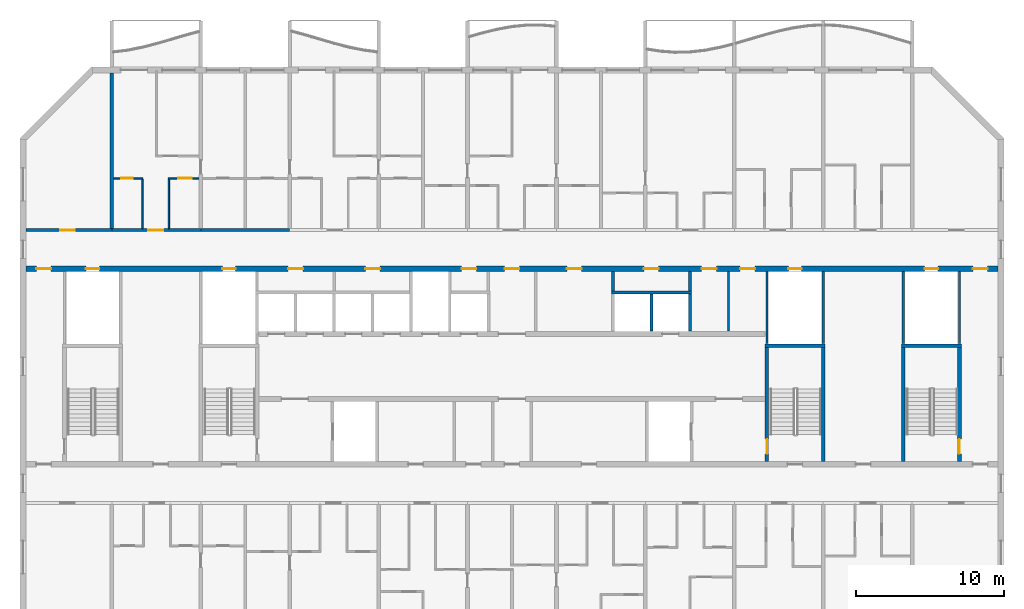
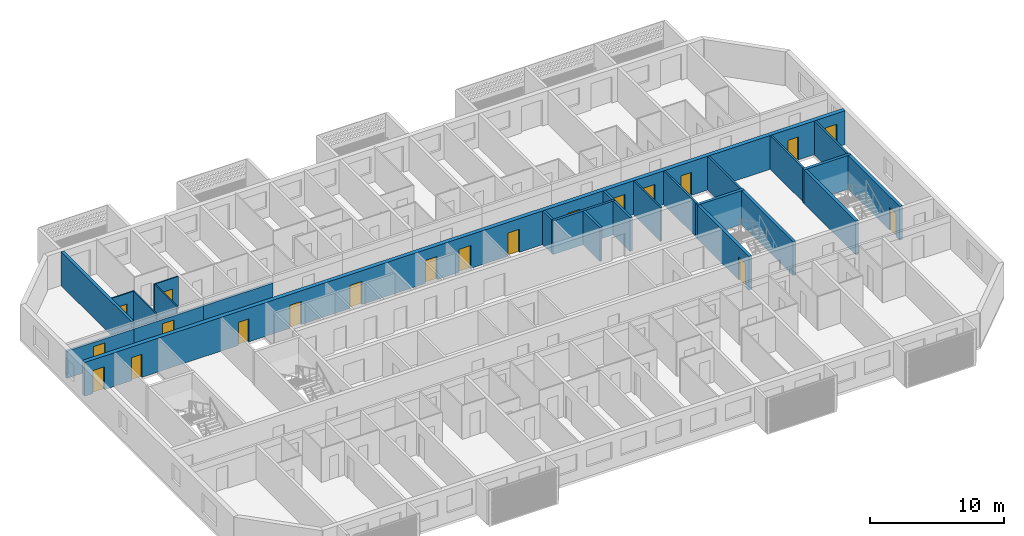
# One storey, part 7 of 26: 25 walls, 20 doors, 20 openings.
"""IFC4 building model written with IfcOpenShell, lengths in metres."""

from ifc_helpers import new_model, si_unit, direction, frame, frame_2d, origin, place, context, subcontext, project, spatial, rectangle, extrude, material, layer, layer_set, type_object, element, fill, save


model = new_model("IFC4")

# Units and contexts
model_context = context("Model", 3, precision=1e-05, world=origin(), true_north=direction((0.0, 1.0)))
body_context = subcontext(model_context, "Body", "Model", "MODEL_VIEW")
ifc_project = project(units=[si_unit("LENGTHUNIT", "METRE"), si_unit("AREAUNIT", "SQUARE_METRE"), si_unit("VOLUMEUNIT", "CUBIC_METRE"), si_unit("PLANEANGLEUNIT", "RADIAN"), si_unit("MASSUNIT", "GRAM", prefix="KILO")], contexts=[model_context])

# Site, building, storey
site_placement = place(None, origin())
site = spatial("IfcSite", under=ifc_project, at=site_placement, CompositionType="ELEMENT")
building_placement = place(site_placement, origin())
building = spatial("IfcBuilding", under=site, at=building_placement, Name="Poui Terraces", CompositionType="ELEMENT")
storey_placement = place(building_placement, frame((0.0, 0.0, 247.800048828125)))
storey = spatial("IfcBuildingStorey", under=building, at=storey_placement, Name="L69", CompositionType="ELEMENT", Elevation=247.800048828125)

# Wall, opening, door
ifc_material_1 = material(Name="Concrete 50 MPa", Category="concrete")
ifc_layer_1 = layer(ifc_material_1, 0.199951171875)
ifc_layer_set_1 = layer_set([ifc_layer_1], Name="Concrete 50 MPa")
wall_type_1 = type_object("IfcWallType", Name="CORRIDOR WALL 200 50MPa", PredefinedType="SHEAR", material=ifc_layer_set_1)
wall_1_placement = place(storey_placement, frame((18.199951171875, 30.39990234375, 0.0), z_axis=(0.0, 0.0, 1.0), x_axis=(1.0, 0.0, 0.0)))
wall_1 = element("IfcWall", 1, at=wall_1_placement, inside=storey, type_object=wall_type_1, Name="CORRIDOR WALL LINE E BAY 1", PredefinedType="SHEAR", context=body_context, shape_type="SweptSolid", body=[
    extrude(rectangle(XDim=5.800048828125, YDim=0.199951171875, at=frame_2d((2.89990234375, 0.0))), origin(), (0.0, 0.0, 1.0), 2.47998046875),
])
opening_1_placement = place(wall_1_placement, frame((2.300048828125, 0.0, 0.0)))
opening_1 = element("IfcOpeningElement", 2, at=opening_1_placement, cuts=wall_1, Name="Opening D100", PredefinedType="OPENING", context=body_context, shape_type="SweptSolid", body=[
    extrude(rectangle(XDim=1.0, YDim=2.10009765625, at=frame_2d((0.5, 1.050048828125))), frame((0.0, 0.10986328125, 0.0), z_axis=(0.0, -1.0, 0.0), x_axis=(1.0, 0.0, 0.0)), (0.0, 0.0, 1.0), 0.219970703125),
])
ifc_material_2 = material(Name="Solid core timber door", Category="wood")
door_type_1 = type_object("IfcDoorType", Name="ACCESSIBLE INTERNAL DOOR 1000 X 2100", OperationType="NOTDEFINED", PredefinedType="DOOR", material=ifc_material_2)
door_1_placement = place(opening_1_placement, origin())
door_1 = element("IfcDoor", 3, at=door_1_placement, inside=storey, type_object=door_type_1, Name="ACCESSIBLE INTERNAL DOOR 025", OperationType="SINGLE_SWING_LEFT", OverallHeight=2.10009765625, OverallWidth=1.0, PredefinedType="DOOR", context=body_context, shape_type="SweptSolid", body=[
    extrude(rectangle(XDim=1.0, YDim=2.10009765625, at=frame_2d((0.5, 1.050048828125))), frame((0.0, 0.02490234375, 0.0), z_axis=(0.0, -1.0, 0.0), x_axis=(1.0, 0.0, 0.0)), (0.0, 0.0, 1.0), 0.050048828125),
])
fill(opening_1, door_1)

wall_2_placement = place(storey_placement, frame((24.0, 30.39990234375, 0.0), z_axis=(0.0, 0.0, 1.0), x_axis=(1.0, 0.0, 0.0)))
wall_2 = element("IfcWall", 4, at=wall_2_placement, inside=storey, type_object=wall_type_1, Name="CORRIDOR WALL LINE E BAY 2", PredefinedType="SHEAR", context=body_context, shape_type="SweptSolid", body=[
    extrude(rectangle(XDim=6.0, YDim=0.199951171875, at=frame_2d((3.0, 0.0))), origin(), (0.0, 0.0, 1.0), 2.47998046875),
])
opening_2_placement = place(wall_2_placement, frame((2.449951171875, 0.0, 0.0)))
opening_2 = element("IfcOpeningElement", 5, at=opening_2_placement, cuts=wall_2, Name="Opening FD30S", PredefinedType="OPENING", context=body_context, shape_type="SweptSolid", body=[
    extrude(rectangle(XDim=1.0, YDim=2.10009765625, at=frame_2d((0.5, 1.050048828125))), frame((0.0, 0.10986328125, 0.0), z_axis=(0.0, -1.0, 0.0), x_axis=(1.0, 0.0, 0.0)), (0.0, 0.0, 1.0), 0.219970703125),
])
ifc_material_3 = material(Name="Steel fire door", Category="steel")
door_type_2 = type_object("IfcDoorType", Name="FLAT ENTRANCE DOOR 1000 X 2100", OperationType="NOTDEFINED", PredefinedType="DOOR", material=ifc_material_3)
door_2_placement = place(opening_2_placement, origin())
door_2 = element("IfcDoor", 6, at=door_2_placement, inside=storey, type_object=door_type_2, Name="FLAT ENTRANCE DOOR 028", OperationType="SINGLE_SWING_LEFT", OverallHeight=2.10009765625, OverallWidth=1.0, PredefinedType="DOOR", context=body_context, shape_type="SweptSolid", body=[
    extrude(rectangle(XDim=1.0, YDim=2.10009765625, at=frame_2d((0.5, 1.050048828125))), frame((0.0, 0.02490234375, 0.0), z_axis=(0.0, -1.0, 0.0), x_axis=(1.0, 0.0, 0.0)), (0.0, 0.0, 1.0), 0.050048828125),
])
fill(opening_2, door_2)

# Walls
wall_3_placement = place(storey_placement, frame((30.0, 30.39990234375, 0.0), z_axis=(0.0, 0.0, 1.0), x_axis=(1.0, 0.0, 0.0)))
element("IfcWall", 7, at=wall_3_placement, inside=storey, type_object=wall_type_1, Name="CORRIDOR WALL LINE E BAY 3", PredefinedType="SHEAR", context=body_context, shape_type="SweptSolid", body=[
    extrude(rectangle(XDim=6.0, YDim=0.199951171875, at=frame_2d((3.0, 0.0))), origin(), (0.0, 0.0, 1.0), 2.47998046875),
])
ifc_layer_2 = layer(ifc_material_1, 0.25)
ifc_layer_set_2 = layer_set([ifc_layer_2], Name="Concrete 50 MPa")
wall_type_2 = type_object("IfcWallType", Name="CROSS WALL 250 50MPa", PredefinedType="SHEAR", material=ifc_layer_set_2)
wall_4_placement = place(storey_placement, frame((24.0, 30.5, 0.0), z_axis=(0.0, 0.0, 1.0), x_axis=(0.0, 1.0, 0.0)))
element("IfcWall", 8, at=wall_4_placement, inside=storey, type_object=wall_type_2, Name="CROSS WALL LINE 5 NORTH", PredefinedType="SHEAR", context=body_context, shape_type="SweptSolid", body=[
    extrude(rectangle(XDim=10.5, YDim=0.25, at=frame_2d((5.25, 0.0))), origin(), (0.0, 0.0, 1.0), 3.079833984375),
])

# Wall, opening, door
ifc_material_4 = material(Name="Plasterboard partition")
ifc_layer_3 = layer(ifc_material_4, 0.10009765625)
ifc_layer_set_3 = layer_set([ifc_layer_3], Name="Plasterboard partition")
wall_type_3 = type_object("IfcWallType", Name="FLAT PARTITION 100", PredefinedType="PARTITIONING", material=ifc_layer_set_3)
wall_5_placement = place(storey_placement, frame((24.135009765625, 33.89990234375, 0.0), z_axis=(0.0, 0.0, 1.0), x_axis=(1.0, 0.0, 0.0)))
wall_5 = element("IfcWall", 9, at=wall_5_placement, inside=storey, type_object=wall_type_3, Name="FLAT PARTITION 100", PredefinedType="PARTITIONING", context=body_context, shape_type="SweptSolid", body=[
    extrude(rectangle(XDim=1.965087890625, YDim=0.10009765625, at=frame_2d((0.982421875, 0.0))), origin(), (0.0, 0.0, 1.0), 3.079833984375),
])
opening_3_placement = place(wall_5_placement, frame((0.489990234375, 0.0, 0.0)))
opening_3 = element("IfcOpeningElement", 10, at=opening_3_placement, cuts=wall_5, Name="Opening D80", PredefinedType="OPENING", context=body_context, shape_type="SweptSolid", body=[
    extrude(rectangle(XDim=0.800048828125, YDim=2.10009765625, at=frame_2d((0.39990234375, 1.050048828125))), frame((0.0, 0.06005859375, 0.0), z_axis=(0.0, -1.0, 0.0), x_axis=(1.0, 0.0, 0.0)), (0.0, 0.0, 1.0), 0.1201171875),
])
door_type_3 = type_object("IfcDoorType", Name="BATHROOM, LAUNDRY AND STORE DOOR 800 X 2100", OperationType="NOTDEFINED", PredefinedType="DOOR", material=ifc_material_2)
door_3_placement = place(opening_3_placement, frame((0.800048828125, 0.0, 0.0), z_axis=(0.0, 0.0, 1.0), x_axis=(-1.0, 0.0, 0.0)))
door_3 = element("IfcDoor", 11, at=door_3_placement, inside=storey, type_object=door_type_3, Name="BATHROOM, LAUNDRY AND STORE DOOR 027", OperationType="SINGLE_SWING_LEFT", OverallHeight=2.10009765625, OverallWidth=0.800048828125, PredefinedType="DOOR", context=body_context, shape_type="SweptSolid", body=[
    extrude(rectangle(XDim=0.800048828125, YDim=2.10009765625, at=frame_2d((0.39990234375, 1.050048828125))), frame((0.0, 0.02490234375, 0.0), z_axis=(0.0, -1.0, 0.0), x_axis=(1.0, 0.0, 0.0)), (0.0, 0.0, 1.0), 0.050048828125),
])
fill(opening_3, door_3)

wall_6_placement = place(storey_placement, frame((27.800048828125, 33.89990234375, 0.0), z_axis=(0.0, 0.0, 1.0), x_axis=(1.0, 0.0, 0.0)))
wall_6 = element("IfcWall", 12, at=wall_6_placement, inside=storey, type_object=wall_type_3, Name="FLAT PARTITION 100", PredefinedType="PARTITIONING", context=body_context, shape_type="SweptSolid", body=[
    extrude(rectangle(XDim=2.06494140625, YDim=0.10009765625, at=frame_2d((1.032470703125, 0.0))), origin(), (0.0, 0.0, 1.0), 3.079833984375),
])
opening_4_placement = place(wall_6_placement, frame((0.675048828125, 0.0, 0.0)))
opening_4 = element("IfcOpeningElement", 13, at=opening_4_placement, cuts=wall_6, Name="Opening D90", PredefinedType="OPENING", context=body_context, shape_type="SweptSolid", body=[
    extrude(rectangle(XDim=0.89990234375, YDim=2.10009765625, at=frame_2d((0.449951171875, 1.050048828125))), frame((0.0, 0.06005859375, 0.0), z_axis=(0.0, -1.0, 0.0), x_axis=(1.0, 0.0, 0.0)), (0.0, 0.0, 1.0), 0.1201171875),
])
door_type_4 = type_object("IfcDoorType", Name="INTERNAL DOOR 900 X 2100", OperationType="NOTDEFINED", PredefinedType="DOOR", material=ifc_material_2)
door_4_placement = place(opening_4_placement, frame((0.89990234375, 0.0, 0.0), z_axis=(0.0, 0.0, 1.0), x_axis=(-1.0, 0.0, 0.0)))
door_4 = element("IfcDoor", 14, at=door_4_placement, inside=storey, type_object=door_type_4, Name="INTERNAL DOOR 030", OperationType="SINGLE_SWING_RIGHT", OverallHeight=2.10009765625, OverallWidth=0.89990234375, PredefinedType="DOOR", context=body_context, shape_type="SweptSolid", body=[
    extrude(rectangle(XDim=0.89990234375, YDim=2.10009765625, at=frame_2d((0.449951171875, 1.050048828125))), frame((0.0, 0.02490234375, 0.0), z_axis=(0.0, -1.0, 0.0), x_axis=(1.0, 0.0, 0.0)), (0.0, 0.0, 1.0), 0.050048828125),
])
fill(opening_4, door_4)

# Walls
for number, where, z_axis, x_axis, name in (
    (15, (26.050048828125, 30.510009765625, 0.0), (0.0, 0.0, 1.0), (0.0, 1.0, 0.0), "FLAT PARTITION 100"),
    (16, (27.85009765625, 30.510009765625, 0.0), (0.0, 0.0, 1.0), (0.0, 1.0, 0.0), "FLAT PARTITION 100"),
):
    element("IfcWall", number, at=place(storey_placement, frame(where, z_axis=z_axis, x_axis=x_axis)), inside=storey, type_object=wall_type_3, Name=name, PredefinedType="PARTITIONING", context=body_context, shape_type="SweptSolid", body=[
        extrude(rectangle(XDim=3.340087890625, YDim=0.10009765625, at=frame_2d((1.669921875, 0.0))), origin(), (0.0, 0.0, 1.0), 3.079833984375),
    ])
ifc_layer_4 = layer(ifc_material_4, 0.14990234375)
ifc_layer_set_4 = layer_set([ifc_layer_4], Name="Plasterboard partition")
wall_type_4 = type_object("IfcWallType", Name="PARTITION WALL 150", PredefinedType="PARTITIONING", material=ifc_layer_set_4)
wall_7_placement = place(storey_placement, frame((65.60009765625, 23.5849609375, 0.0), z_axis=(0.0, 0.0, 1.0), x_axis=(0.0, 1.0, 0.0)))
element("IfcWall", 17, at=wall_7_placement, inside=storey, type_object=wall_type_4, Name="PARTITION WALL 150", PredefinedType="PARTITIONING", context=body_context, shape_type="SweptSolid", body=[
    extrude(rectangle(XDim=4.030029296875, YDim=0.14990234375, at=frame_2d((2.01513671875, 0.0))), origin(), (0.0, 0.0, 1.0), 3.079833984375),
])
ifc_material_5 = material(Name="Fire-rated masonry wall", Category="masonry")
ifc_layer_5 = layer(ifc_material_5, 0.199951171875)
ifc_layer_set_5 = layer_set([ifc_layer_5], Name="Fire-rated masonry wall")
wall_type_5 = type_object("IfcWallType", Name="PLANT ROOM WALL 200", PredefinedType="PARTITIONING", material=ifc_layer_set_5)
for number, where, z_axis, x_axis, name in (
    (18, (57.800048828125, 26.300048828125, 0.0), (0.0, 0.0, 1.0), (0.0, 1.0, 0.0), "PLANT ROOM WALL 200"),
    (19, (63.0, 26.300048828125, 0.0), (0.0, 0.0, 1.0), (0.0, 1.0, 0.0), "PLANT ROOM WALL 200"),
):
    element("IfcWall", number, at=place(storey_placement, frame(where, z_axis=z_axis, x_axis=x_axis)), inside=storey, type_object=wall_type_5, Name=name, PredefinedType="PARTITIONING", context=body_context, shape_type="SweptSolid", body=[
        extrude(rectangle(XDim=1.31494140625, YDim=0.199951171875, at=frame_2d((0.657470703125, 0.0))), origin(), (0.0, 0.0, 1.0), 3.079833984375),
    ])
ifc_material_6 = material(Name="Fire-rated plasterboard riser wall")
ifc_layer_6 = layer(ifc_material_6, 0.14990234375)
ifc_layer_set_6 = layer_set([ifc_layer_6], Name="Fire-rated plasterboard riser wall")
wall_type_6 = type_object("IfcWallType", Name="RISER WALL 150", PredefinedType="PARTITIONING", material=ifc_layer_set_6)
for number, where, z_axis, x_axis, name in (
    (20, (68.199951171875, 22.735107421875, 0.0), (0.0, 0.0, 1.0), (0.0, 1.0, 0.0), "RISER WALL 150"),
    (21, (72.0, 22.735107421875, 0.0), (0.0, 0.0, 1.0), (0.0, 1.0, 0.0), "RISER WALL 150"),
    (22, (77.39990234375, 22.735107421875, 0.0), (0.0, 0.0, 1.0), (0.0, 1.0, 0.0), "RISER WALL 150"),
    (23, (81.199951171875, 22.735107421875, 0.0), (0.0, 0.0, 1.0), (0.0, 1.0, 0.0), "RISER WALL 150"),
):
    element("IfcWall", number, at=place(storey_placement, frame(where, z_axis=z_axis, x_axis=x_axis)), inside=storey, type_object=wall_type_6, Name=name, PredefinedType="PARTITIONING", context=body_context, shape_type="SweptSolid", body=[
        extrude(rectangle(XDim=4.8798828125, YDim=0.14990234375, at=frame_2d((2.43994140625, 0.0))), origin(), (0.0, 0.0, 1.0), 3.079833984375),
    ])
ifc_material_7 = material(Name="Fire-rated masonry shaft wall", Category="masonry")
ifc_layer_7 = layer(ifc_material_7, 0.199951171875)
ifc_layer_set_7 = layer_set([ifc_layer_7], Name="Fire-rated masonry shaft wall")
wall_type_7 = type_object("IfcWallType", Name="SHAFT WALL 200", PredefinedType="PARTITIONING", material=ifc_layer_set_7)
wall_8_placement = place(storey_placement, frame((57.699951171875, 26.199951171875, 0.0), z_axis=(0.0, 0.0, 1.0), x_axis=(1.0, 0.0, 0.0)))
element("IfcWall", 24, at=wall_8_placement, inside=storey, type_object=wall_type_7, Name="SHAFT WALL 200", PredefinedType="PARTITIONING", context=body_context, shape_type="SweptSolid", body=[
    extrude(rectangle(XDim=5.400146484375, YDim=0.199951171875, at=frame_2d((2.7001953125, 0.0))), origin(), (0.0, 0.0, 1.0), 3.079833984375),
])
for number, where, z_axis, x_axis, name in (
    (25, (60.39990234375, 23.5849609375, 0.0), (0.0, 0.0, 1.0), (0.0, 1.0, 0.0), "SHAFT WALL 200"),
    (26, (63.0, 23.5849609375, 0.0), (0.0, 0.0, 1.0), (0.0, 1.0, 0.0), "SHAFT WALL 200"),
):
    element("IfcWall", number, at=place(storey_placement, frame(where, z_axis=z_axis, x_axis=x_axis)), inside=storey, type_object=wall_type_7, Name=name, PredefinedType="PARTITIONING", context=body_context, shape_type="SweptSolid", body=[
        extrude(rectangle(XDim=2.51513671875, YDim=0.199951171875, at=frame_2d((1.257568359375, 0.0))), origin(), (0.0, 0.0, 1.0), 3.079833984375),
    ])

# Wall, openings, doors
ifc_layer_8 = layer(ifc_material_1, 0.35009765625)
ifc_layer_set_8 = layer_set([ifc_layer_8], Name="Concrete 50 MPa")
wall_type_8 = type_object("IfcWallType", Name="SPINE WALL 350 50 MPA", PredefinedType="SOLIDWALL", material=ifc_layer_set_8)
wall_9_placement = place(storey_placement, frame((18.199951171875, 27.800048828125, 0.0), z_axis=(0.0, 0.0, 1.0), x_axis=(1.0, 0.0, 0.0)))
wall_9 = element("IfcWall", 27, at=wall_9_placement, inside=storey, type_object=wall_type_8, Name="SPINE WALL", PredefinedType="SOLIDWALL", context=body_context, shape_type="SweptSolid", body=[
    extrude(rectangle(XDim=65.60009765625, YDim=0.35009765625, at=frame_2d((32.800048828125, 0.0))), origin(), (0.0, 0.0, 1.0), 3.079833984375),
])
opening_5_placement = place(wall_9_placement, frame((0.699951171875, 0.0, 0.0)))
opening_5 = element("IfcOpeningElement", 28, at=opening_5_placement, cuts=wall_9, Name="Opening FDL", PredefinedType="OPENING", context=body_context, shape_type="SweptSolid", body=[
    extrude(rectangle(XDim=1.0, YDim=2.10009765625, at=frame_2d((0.5, 1.050048828125))), frame((0.0, 0.18505859375, 0.0), z_axis=(0.0, -1.0, 0.0), x_axis=(1.0, 0.0, 0.0)), (0.0, 0.0, 1.0), 0.3701171875),
])
opening_6_placement = place(wall_9_placement, frame((4.050048828125, 0.0, 0.0)))
opening_6 = element("IfcOpeningElement", 29, at=opening_6_placement, cuts=wall_9, Name="Opening FDR", PredefinedType="OPENING", context=body_context, shape_type="SweptSolid", body=[
    extrude(rectangle(XDim=0.89990234375, YDim=2.10009765625, at=frame_2d((0.449951171875, 1.050048828125))), frame((0.0, 0.18505859375, 0.0), z_axis=(0.0, -1.0, 0.0), x_axis=(1.0, 0.0, 0.0)), (0.0, 0.0, 1.0), 0.3701171875),
])
opening_7_placement = place(wall_9_placement, frame((13.25, 0.0, 0.0)))
opening_7 = element("IfcOpeningElement", 30, at=opening_7_placement, cuts=wall_9, Name="Opening FDR", PredefinedType="OPENING", context=body_context, shape_type="SweptSolid", body=[
    extrude(rectangle(XDim=0.89990234375, YDim=2.10009765625, at=frame_2d((0.449951171875, 1.050048828125))), frame((0.0, 0.18505859375, 0.0), z_axis=(0.0, -1.0, 0.0), x_axis=(1.0, 0.0, 0.0)), (0.0, 0.0, 1.0), 0.3701171875),
])
opening_8_placement = place(wall_9_placement, frame((17.699951171875, 0.0, 0.0)))
opening_8 = element("IfcOpeningElement", 31, at=opening_8_placement, cuts=wall_9, Name="Opening FD60", PredefinedType="OPENING", context=body_context, shape_type="SweptSolid", body=[
    extrude(rectangle(XDim=1.0, YDim=2.10009765625, at=frame_2d((0.5, 1.050048828125))), frame((0.0, 0.18505859375, 0.0), z_axis=(0.0, -1.0, 0.0), x_axis=(1.0, 0.0, 0.0)), (0.0, 0.0, 1.0), 0.3701171875),
])
opening_9_placement = place(wall_9_placement, frame((22.89990234375, 0.0, 0.0)))
opening_9 = element("IfcOpeningElement", 32, at=opening_9_placement, cuts=wall_9, Name="Opening FD60", PredefinedType="OPENING", context=body_context, shape_type="SweptSolid", body=[
    extrude(rectangle(XDim=1.0, YDim=2.10009765625, at=frame_2d((0.5, 1.050048828125))), frame((0.0, 0.18505859375, 0.0), z_axis=(0.0, -1.0, 0.0), x_axis=(1.0, 0.0, 0.0)), (0.0, 0.0, 1.0), 0.3701171875),
])
opening_10_placement = place(wall_9_placement, frame((29.39990234375, 0.0, 0.0)))
opening_10 = element("IfcOpeningElement", 33, at=opening_10_placement, cuts=wall_9, Name="Opening FD60", PredefinedType="OPENING", context=body_context, shape_type="SweptSolid", body=[
    extrude(rectangle(XDim=1.0, YDim=2.10009765625, at=frame_2d((0.5, 1.050048828125))), frame((0.0, 0.18505859375, 0.0), z_axis=(0.0, -1.0, 0.0), x_axis=(1.0, 0.0, 0.0)), (0.0, 0.0, 1.0), 0.3701171875),
])
opening_11_placement = place(wall_9_placement, frame((32.300048828125, 0.0, 0.0)))
opening_11 = element("IfcOpeningElement", 34, at=opening_11_placement, cuts=wall_9, Name="Opening FDL", PredefinedType="OPENING", context=body_context, shape_type="SweptSolid", body=[
    extrude(rectangle(XDim=1.0, YDim=2.10009765625, at=frame_2d((0.5, 1.050048828125))), frame((0.0, 0.18505859375, 0.0), z_axis=(0.0, -1.0, 0.0), x_axis=(1.0, 0.0, 0.0)), (0.0, 0.0, 1.0), 0.3701171875),
])
opening_12_placement = place(wall_9_placement, frame((36.5, 0.0, 0.0)))
opening_12 = element("IfcOpeningElement", 35, at=opening_12_placement, cuts=wall_9, Name="Opening FD60", PredefinedType="OPENING", context=body_context, shape_type="SweptSolid", body=[
    extrude(rectangle(XDim=1.0, YDim=2.10009765625, at=frame_2d((0.5, 1.050048828125))), frame((0.0, 0.18505859375, 0.0), z_axis=(0.0, -1.0, 0.0), x_axis=(1.0, 0.0, 0.0)), (0.0, 0.0, 1.0), 0.3701171875),
])
opening_13_placement = place(wall_9_placement, frame((41.699951171875, 0.0, 0.0)))
opening_13 = element("IfcOpeningElement", 36, at=opening_13_placement, cuts=wall_9, Name="Opening FD60", PredefinedType="OPENING", context=body_context, shape_type="SweptSolid", body=[
    extrude(rectangle(XDim=1.0, YDim=2.10009765625, at=frame_2d((0.5, 1.050048828125))), frame((0.0, 0.18505859375, 0.0), z_axis=(0.0, -1.0, 0.0), x_axis=(1.0, 0.0, 0.0)), (0.0, 0.0, 1.0), 0.3701171875),
])
opening_14_placement = place(wall_9_placement, frame((45.60009765625, 0.0, 0.0)))
opening_14 = element("IfcOpeningElement", 37, at=opening_14_placement, cuts=wall_9, Name="Opening FD60", PredefinedType="OPENING", context=body_context, shape_type="SweptSolid", body=[
    extrude(rectangle(XDim=1.0, YDim=2.10009765625, at=frame_2d((0.5, 1.050048828125))), frame((0.0, 0.18505859375, 0.0), z_axis=(0.0, -1.0, 0.0), x_axis=(1.0, 0.0, 0.0)), (0.0, 0.0, 1.0), 0.3701171875),
])
opening_15_placement = place(wall_9_placement, frame((48.199951171875, 0.0, 0.0)))
opening_15 = element("IfcOpeningElement", 38, at=opening_15_placement, cuts=wall_9, Name="Opening FD60", PredefinedType="OPENING", context=body_context, shape_type="SweptSolid", body=[
    extrude(rectangle(XDim=1.0, YDim=2.10009765625, at=frame_2d((0.5, 1.050048828125))), frame((0.0, 0.18505859375, 0.0), z_axis=(0.0, -1.0, 0.0), x_axis=(1.0, 0.0, 0.0)), (0.0, 0.0, 1.0), 0.3701171875),
])
opening_16_placement = place(wall_9_placement, frame((51.449951171875, 0.0, 0.0)))
opening_16 = element("IfcOpeningElement", 39, at=opening_16_placement, cuts=wall_9, Name="Opening FDR", PredefinedType="OPENING", context=body_context, shape_type="SweptSolid", body=[
    extrude(rectangle(XDim=0.89990234375, YDim=2.10009765625, at=frame_2d((0.449951171875, 1.050048828125))), frame((0.0, 0.18505859375, 0.0), z_axis=(0.0, -1.0, 0.0), x_axis=(1.0, 0.0, 0.0)), (0.0, 0.0, 1.0), 0.3701171875),
])
opening_17_placement = place(wall_9_placement, frame((60.64990234375, 0.0, 0.0)))
opening_17 = element("IfcOpeningElement", 40, at=opening_17_placement, cuts=wall_9, Name="Opening FDR", PredefinedType="OPENING", context=body_context, shape_type="SweptSolid", body=[
    extrude(rectangle(XDim=0.89990234375, YDim=2.10009765625, at=frame_2d((0.449951171875, 1.050048828125))), frame((0.0, 0.18505859375, 0.0), z_axis=(0.0, -1.0, 0.0), x_axis=(1.0, 0.0, 0.0)), (0.0, 0.0, 1.0), 0.3701171875),
])
opening_18_placement = place(wall_9_placement, frame((63.89990234375, 0.0, 0.0)))
opening_18 = element("IfcOpeningElement", 41, at=opening_18_placement, cuts=wall_9, Name="Opening FDL", PredefinedType="OPENING", context=body_context, shape_type="SweptSolid", body=[
    extrude(rectangle(XDim=1.0, YDim=2.10009765625, at=frame_2d((0.5, 1.050048828125))), frame((0.0, 0.18505859375, 0.0), z_axis=(0.0, -1.0, 0.0), x_axis=(1.0, 0.0, 0.0)), (0.0, 0.0, 1.0), 0.3701171875),
])
door_type_5 = type_object("IfcDoorType", Name="LOBBY FIRE DOOR 1000 X 2100", OperationType="NOTDEFINED", PredefinedType="DOOR", material=ifc_material_3)
door_5_placement = place(opening_5_placement, origin())
door_5 = element("IfcDoor", 42, at=door_5_placement, inside=storey, type_object=door_type_5, Name="LOBBY FIRE DOOR 001", OperationType="SINGLE_SWING_LEFT", OverallHeight=2.10009765625, OverallWidth=1.0, PredefinedType="DOOR", context=body_context, shape_type="SweptSolid", body=[
    extrude(rectangle(XDim=1.0, YDim=2.10009765625, at=frame_2d((0.5, 1.050048828125))), frame((0.0, 0.02490234375, 0.0), z_axis=(0.0, -1.0, 0.0), x_axis=(1.0, 0.0, 0.0)), (0.0, 0.0, 1.0), 0.050048828125),
])
fill(opening_5, door_5)
door_6_placement = place(opening_11_placement, origin())
door_6 = element("IfcDoor", 43, at=door_6_placement, inside=storey, type_object=door_type_5, Name="LOBBY FIRE DOOR 007", OperationType="SINGLE_SWING_RIGHT", OverallHeight=2.10009765625, OverallWidth=1.0, PredefinedType="DOOR", context=body_context, shape_type="SweptSolid", body=[
    extrude(rectangle(XDim=1.0, YDim=2.10009765625, at=frame_2d((0.5, 1.050048828125))), frame((0.0, 0.02490234375, 0.0), z_axis=(0.0, -1.0, 0.0), x_axis=(1.0, 0.0, 0.0)), (0.0, 0.0, 1.0), 0.050048828125),
])
fill(opening_11, door_6)
door_7_placement = place(opening_18_placement, origin())
door_7 = element("IfcDoor", 44, at=door_7_placement, inside=storey, type_object=door_type_5, Name="LOBBY FIRE DOOR 014", OperationType="SINGLE_SWING_RIGHT", OverallHeight=2.10009765625, OverallWidth=1.0, PredefinedType="DOOR", context=body_context, shape_type="SweptSolid", body=[
    extrude(rectangle(XDim=1.0, YDim=2.10009765625, at=frame_2d((0.5, 1.050048828125))), frame((0.0, 0.02490234375, 0.0), z_axis=(0.0, -1.0, 0.0), x_axis=(1.0, 0.0, 0.0)), (0.0, 0.0, 1.0), 0.050048828125),
])
fill(opening_18, door_7)
door_type_6 = type_object("IfcDoorType", Name="RISER CUPBOARD DOOR 900 X 2100", OperationType="NOTDEFINED", PredefinedType="DOOR", material=ifc_material_3)
door_8_placement = place(opening_6_placement, origin())
door_8 = element("IfcDoor", 45, at=door_8_placement, inside=storey, type_object=door_type_6, Name="RISER CUPBOARD DOOR 002", OperationType="SINGLE_SWING_LEFT", OverallHeight=2.10009765625, OverallWidth=0.89990234375, PredefinedType="DOOR", context=body_context, shape_type="SweptSolid", body=[
    extrude(rectangle(XDim=0.89990234375, YDim=2.10009765625, at=frame_2d((0.449951171875, 1.050048828125))), frame((0.0, 0.02490234375, 0.0), z_axis=(0.0, -1.0, 0.0), x_axis=(1.0, 0.0, 0.0)), (0.0, 0.0, 1.0), 0.050048828125),
])
fill(opening_6, door_8)
door_9_placement = place(opening_7_placement, origin())
door_9 = element("IfcDoor", 46, at=door_9_placement, inside=storey, type_object=door_type_6, Name="RISER CUPBOARD DOOR 003", OperationType="SINGLE_SWING_LEFT", OverallHeight=2.10009765625, OverallWidth=0.89990234375, PredefinedType="DOOR", context=body_context, shape_type="SweptSolid", body=[
    extrude(rectangle(XDim=0.89990234375, YDim=2.10009765625, at=frame_2d((0.449951171875, 1.050048828125))), frame((0.0, 0.02490234375, 0.0), z_axis=(0.0, -1.0, 0.0), x_axis=(1.0, 0.0, 0.0)), (0.0, 0.0, 1.0), 0.050048828125),
])
fill(opening_7, door_9)
door_10_placement = place(opening_16_placement, origin())
door_10 = element("IfcDoor", 47, at=door_10_placement, inside=storey, type_object=door_type_6, Name="RISER CUPBOARD DOOR 012", OperationType="SINGLE_SWING_RIGHT", OverallHeight=2.10009765625, OverallWidth=0.89990234375, PredefinedType="DOOR", context=body_context, shape_type="SweptSolid", body=[
    extrude(rectangle(XDim=0.89990234375, YDim=2.10009765625, at=frame_2d((0.449951171875, 1.050048828125))), frame((0.0, 0.02490234375, 0.0), z_axis=(0.0, -1.0, 0.0), x_axis=(1.0, 0.0, 0.0)), (0.0, 0.0, 1.0), 0.050048828125),
])
fill(opening_16, door_10)
door_11_placement = place(opening_17_placement, origin())
door_11 = element("IfcDoor", 48, at=door_11_placement, inside=storey, type_object=door_type_6, Name="RISER CUPBOARD DOOR 013", OperationType="SINGLE_SWING_RIGHT", OverallHeight=2.10009765625, OverallWidth=0.89990234375, PredefinedType="DOOR", context=body_context, shape_type="SweptSolid", body=[
    extrude(rectangle(XDim=0.89990234375, YDim=2.10009765625, at=frame_2d((0.449951171875, 1.050048828125))), frame((0.0, 0.02490234375, 0.0), z_axis=(0.0, -1.0, 0.0), x_axis=(1.0, 0.0, 0.0)), (0.0, 0.0, 1.0), 0.050048828125),
])
fill(opening_17, door_11)
door_type_7 = type_object("IfcDoorType", Name="SERVICE ROOM FIRE DOOR 1000 X 2100", OperationType="NOTDEFINED", PredefinedType="DOOR", material=ifc_material_3)
door_12_placement = place(opening_8_placement, origin())
door_12 = element("IfcDoor", 49, at=door_12_placement, inside=storey, type_object=door_type_7, Name="SERVICE ROOM FIRE DOOR 004", OperationType="SINGLE_SWING_RIGHT", OverallHeight=2.10009765625, OverallWidth=1.0, PredefinedType="DOOR", context=body_context, shape_type="SweptSolid", body=[
    extrude(rectangle(XDim=1.0, YDim=2.10009765625, at=frame_2d((0.5, 1.050048828125))), frame((0.0, 0.02490234375, 0.0), z_axis=(0.0, -1.0, 0.0), x_axis=(1.0, 0.0, 0.0)), (0.0, 0.0, 1.0), 0.050048828125),
])
fill(opening_8, door_12)
door_13_placement = place(opening_9_placement, origin())
door_13 = element("IfcDoor", 50, at=door_13_placement, inside=storey, type_object=door_type_7, Name="SERVICE ROOM FIRE DOOR 005", OperationType="SINGLE_SWING_LEFT", OverallHeight=2.10009765625, OverallWidth=1.0, PredefinedType="DOOR", context=body_context, shape_type="SweptSolid", body=[
    extrude(rectangle(XDim=1.0, YDim=2.10009765625, at=frame_2d((0.5, 1.050048828125))), frame((0.0, 0.02490234375, 0.0), z_axis=(0.0, -1.0, 0.0), x_axis=(1.0, 0.0, 0.0)), (0.0, 0.0, 1.0), 0.050048828125),
])
fill(opening_9, door_13)
door_14_placement = place(opening_10_placement, origin())
door_14 = element("IfcDoor", 51, at=door_14_placement, inside=storey, type_object=door_type_7, Name="SERVICE ROOM FIRE DOOR 006", OperationType="SINGLE_SWING_RIGHT", OverallHeight=2.10009765625, OverallWidth=1.0, PredefinedType="DOOR", context=body_context, shape_type="SweptSolid", body=[
    extrude(rectangle(XDim=1.0, YDim=2.10009765625, at=frame_2d((0.5, 1.050048828125))), frame((0.0, 0.02490234375, 0.0), z_axis=(0.0, -1.0, 0.0), x_axis=(1.0, 0.0, 0.0)), (0.0, 0.0, 1.0), 0.050048828125),
])
fill(opening_10, door_14)
door_15_placement = place(opening_12_placement, origin())
door_15 = element("IfcDoor", 52, at=door_15_placement, inside=storey, type_object=door_type_7, Name="SERVICE ROOM FIRE DOOR 008", OperationType="SINGLE_SWING_LEFT", OverallHeight=2.10009765625, OverallWidth=1.0, PredefinedType="DOOR", context=body_context, shape_type="SweptSolid", body=[
    extrude(rectangle(XDim=1.0, YDim=2.10009765625, at=frame_2d((0.5, 1.050048828125))), frame((0.0, 0.02490234375, 0.0), z_axis=(0.0, -1.0, 0.0), x_axis=(1.0, 0.0, 0.0)), (0.0, 0.0, 1.0), 0.050048828125),
])
fill(opening_12, door_15)
door_16_placement = place(opening_13_placement, origin())
door_16 = element("IfcDoor", 53, at=door_16_placement, inside=storey, type_object=door_type_7, Name="SERVICE ROOM FIRE DOOR 009", OperationType="SINGLE_SWING_RIGHT", OverallHeight=2.10009765625, OverallWidth=1.0, PredefinedType="DOOR", context=body_context, shape_type="SweptSolid", body=[
    extrude(rectangle(XDim=1.0, YDim=2.10009765625, at=frame_2d((0.5, 1.050048828125))), frame((0.0, 0.02490234375, 0.0), z_axis=(0.0, -1.0, 0.0), x_axis=(1.0, 0.0, 0.0)), (0.0, 0.0, 1.0), 0.050048828125),
])
fill(opening_13, door_16)
door_17_placement = place(opening_14_placement, origin())
door_17 = element("IfcDoor", 54, at=door_17_placement, inside=storey, type_object=door_type_7, Name="SERVICE ROOM FIRE DOOR 010", OperationType="SINGLE_SWING_LEFT", OverallHeight=2.10009765625, OverallWidth=1.0, PredefinedType="DOOR", context=body_context, shape_type="SweptSolid", body=[
    extrude(rectangle(XDim=1.0, YDim=2.10009765625, at=frame_2d((0.5, 1.050048828125))), frame((0.0, 0.02490234375, 0.0), z_axis=(0.0, -1.0, 0.0), x_axis=(1.0, 0.0, 0.0)), (0.0, 0.0, 1.0), 0.050048828125),
])
fill(opening_14, door_17)
door_18_placement = place(opening_15_placement, origin())
door_18 = element("IfcDoor", 55, at=door_18_placement, inside=storey, type_object=door_type_7, Name="SERVICE ROOM FIRE DOOR 011", OperationType="SINGLE_SWING_RIGHT", OverallHeight=2.10009765625, OverallWidth=1.0, PredefinedType="DOOR", context=body_context, shape_type="SweptSolid", body=[
    extrude(rectangle(XDim=1.0, YDim=2.10009765625, at=frame_2d((0.5, 1.050048828125))), frame((0.0, 0.02490234375, 0.0), z_axis=(0.0, -1.0, 0.0), x_axis=(1.0, 0.0, 0.0)), (0.0, 0.0, 1.0), 0.050048828125),
])
fill(opening_15, door_18)

# Wall, opening, door
ifc_layer_9 = layer(ifc_material_1, 0.25)
ifc_layer_set_9 = layer_set([ifc_layer_9], Name="Concrete 50 MPa")
wall_type_9 = type_object("IfcWallType", Name="STAIR CORE WALL 250 50 MPA", PredefinedType="SOLIDWALL", material=ifc_layer_set_9)
wall_10_placement = place(storey_placement, frame((68.199951171875, 14.77490234375, 0.0), z_axis=(0.0, 0.0, 1.0), x_axis=(0.0, 1.0, 0.0)))
wall_10 = element("IfcWall", 56, at=wall_10_placement, inside=storey, type_object=wall_type_9, Name="STAIR CORE WALL", PredefinedType="SOLIDWALL", context=body_context, shape_type="SweptSolid", body=[
    extrude(rectangle(XDim=7.7001953125, YDim=0.25, at=frame_2d((3.85009765625, 0.0))), origin(), (0.0, 0.0, 1.0), 3.079833984375),
])
opening_19_placement = place(wall_10_placement, frame((0.52490234375, 0.0, 0.0)))
opening_19 = element("IfcOpeningElement", 57, at=opening_19_placement, cuts=wall_10, Name="Opening FD60S", PredefinedType="OPENING", context=body_context, shape_type="SweptSolid", body=[
    extrude(rectangle(XDim=1.0, YDim=2.10009765625, at=frame_2d((0.5, 1.050048828125))), frame((0.0, 0.135009765625, 0.0), z_axis=(0.0, -1.0, 0.0), x_axis=(1.0, 0.0, 0.0)), (0.0, 0.0, 1.0), 0.27001953125),
])
door_type_8 = type_object("IfcDoorType", Name="STAIR DOOR 1000 X 2100", OperationType="NOTDEFINED", PredefinedType="DOOR", material=ifc_material_3)
door_19_placement = place(opening_19_placement, frame((1.0, 0.0, 0.0), z_axis=(0.0, 0.0, 1.0), x_axis=(-1.0, 0.0, 0.0)))
door_19 = element("IfcDoor", 58, at=door_19_placement, inside=storey, type_object=door_type_8, Name="STAIR DOOR 096", OperationType="SINGLE_SWING_LEFT", OverallHeight=2.10009765625, OverallWidth=1.0, PredefinedType="DOOR", context=body_context, shape_type="SweptSolid", body=[
    extrude(rectangle(XDim=1.0, YDim=2.10009765625, at=frame_2d((0.5, 1.050048828125))), frame((0.0, 0.02490234375, 0.0), z_axis=(0.0, -1.0, 0.0), x_axis=(1.0, 0.0, 0.0)), (0.0, 0.0, 1.0), 0.050048828125),
])
fill(opening_19, door_19)

# Walls
wall_11_placement = place(storey_placement, frame((72.0, 14.77490234375, 0.0), z_axis=(0.0, 0.0, 1.0), x_axis=(0.0, 1.0, 0.0)))
element("IfcWall", 59, at=wall_11_placement, inside=storey, type_object=wall_type_9, Name="STAIR CORE WALL", PredefinedType="SOLIDWALL", context=body_context, shape_type="SweptSolid", body=[
    extrude(rectangle(XDim=7.7001953125, YDim=0.25, at=frame_2d((3.85009765625, 0.0))), origin(), (0.0, 0.0, 1.0), 3.079833984375),
])
wall_12_placement = place(storey_placement, frame((68.074951171875, 22.60009765625, 0.0), z_axis=(0.0, 0.0, 1.0), x_axis=(1.0, 0.0, 0.0)))
element("IfcWall", 60, at=wall_12_placement, inside=storey, type_object=wall_type_9, Name="STAIR CORE WALL", PredefinedType="SOLIDWALL", context=body_context, shape_type="SweptSolid", body=[
    extrude(rectangle(XDim=4.050048828125, YDim=0.25, at=frame_2d((2.02490234375, 0.0))), origin(), (0.0, 0.0, 1.0), 3.079833984375),
])
wall_13_placement = place(storey_placement, frame((77.39990234375, 14.77490234375, 0.0), z_axis=(0.0, 0.0, 1.0), x_axis=(0.0, 1.0, 0.0)))
element("IfcWall", 61, at=wall_13_placement, inside=storey, type_object=wall_type_9, Name="STAIR CORE WALL", PredefinedType="SOLIDWALL", context=body_context, shape_type="SweptSolid", body=[
    extrude(rectangle(XDim=7.7001953125, YDim=0.25, at=frame_2d((3.85009765625, 0.0))), origin(), (0.0, 0.0, 1.0), 3.079833984375),
])

# Wall, opening, door
wall_14_placement = place(storey_placement, frame((81.199951171875, 14.77490234375, 0.0), z_axis=(0.0, 0.0, 1.0), x_axis=(0.0, 1.0, 0.0)))
wall_14 = element("IfcWall", 62, at=wall_14_placement, inside=storey, type_object=wall_type_9, Name="STAIR CORE WALL", PredefinedType="SOLIDWALL", context=body_context, shape_type="SweptSolid", body=[
    extrude(rectangle(XDim=7.7001953125, YDim=0.25, at=frame_2d((3.85009765625, 0.0))), origin(), (0.0, 0.0, 1.0), 3.079833984375),
])
opening_20_placement = place(wall_14_placement, frame((0.52490234375, 0.0, 0.0)))
opening_20 = element("IfcOpeningElement", 63, at=opening_20_placement, cuts=wall_14, Name="Opening FD60S", PredefinedType="OPENING", context=body_context, shape_type="SweptSolid", body=[
    extrude(rectangle(XDim=1.0, YDim=2.10009765625, at=frame_2d((0.5, 1.050048828125))), frame((0.0, 0.135009765625, 0.0), z_axis=(0.0, -1.0, 0.0), x_axis=(1.0, 0.0, 0.0)), (0.0, 0.0, 1.0), 0.27001953125),
])
door_20_placement = place(opening_20_placement, origin())
door_20 = element("IfcDoor", 64, at=door_20_placement, inside=storey, type_object=door_type_8, Name="STAIR DOOR 110", OperationType="SINGLE_SWING_LEFT", OverallHeight=2.10009765625, OverallWidth=1.0, PredefinedType="DOOR", context=body_context, shape_type="SweptSolid", body=[
    extrude(rectangle(XDim=1.0, YDim=2.10009765625, at=frame_2d((0.5, 1.050048828125))), frame((0.0, 0.02490234375, 0.0), z_axis=(0.0, -1.0, 0.0), x_axis=(1.0, 0.0, 0.0)), (0.0, 0.0, 1.0), 0.050048828125),
])
fill(opening_20, door_20)

# Wall
wall_15_placement = place(storey_placement, frame((77.27490234375, 22.60009765625, 0.0), z_axis=(0.0, 0.0, 1.0), x_axis=(1.0, 0.0, 0.0)))
element("IfcWall", 65, at=wall_15_placement, inside=storey, type_object=wall_type_9, Name="STAIR CORE WALL", PredefinedType="SOLIDWALL", context=body_context, shape_type="SweptSolid", body=[
    extrude(rectangle(XDim=4.050048828125, YDim=0.25, at=frame_2d((2.02490234375, 0.0))), origin(), (0.0, 0.0, 1.0), 3.079833984375),
])

save(model, "model.ifc")
